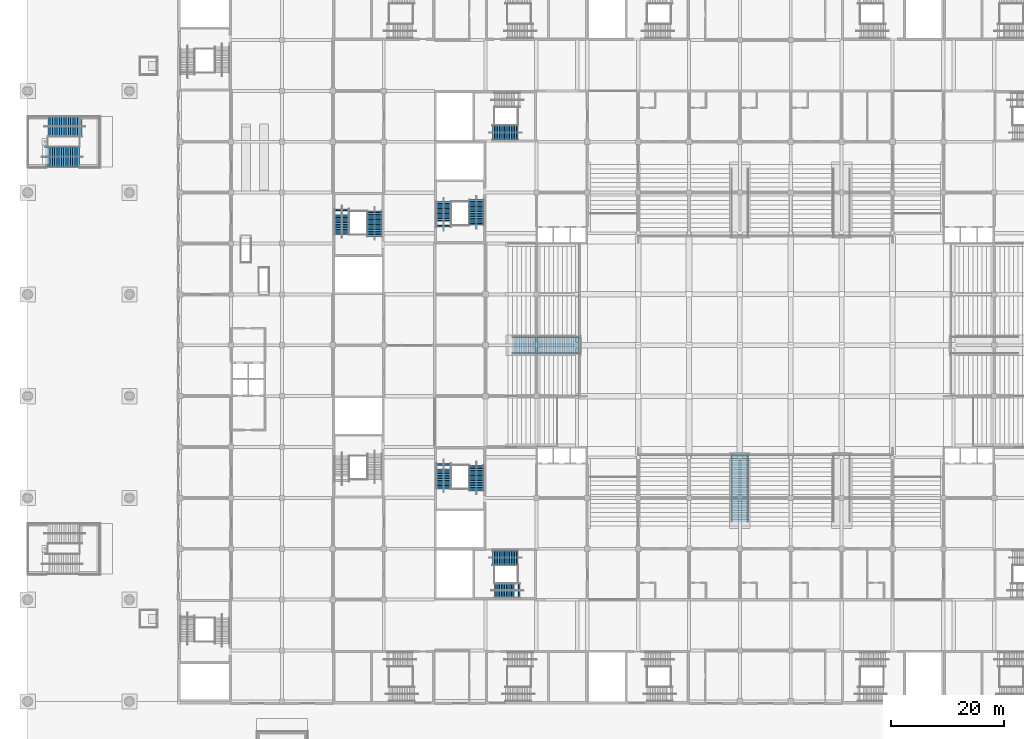
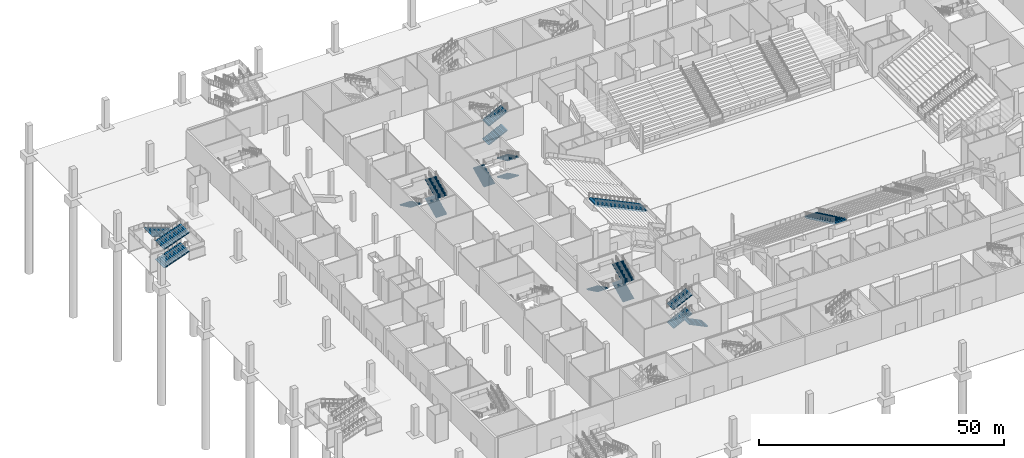
# One storey, part 43 of 92: 19 stair flights, 8 elements without a shape of their own.
"""IFC4 building model written with IfcOpenShell, lengths in metres."""

import ifcopenshell
import ifcopenshell.guid

model = None  # the IFC model being written
_history = None  # IfcOwnerHistory: only IFC2X3 demands one
_inside = {}  # id of a spatial element -> (the spatial element, [elements in it])
_under = {}  # id of a project, library or spatial element -> (it, [spatial elements below it])
_declared = {}  # id of a project -> (the project, [libraries it declares])
_typed = {}  # id of a type object -> (the type object, [elements of that type])
_made_of = {}  # id of a material, layer set ... -> (it, [elements and type objects made of it])


def new_model(schema):
    """Start an empty IFC model of exactly this schema.

    Asked for "IFC4X3", IfcOpenShell would pick the latest addendum, in which some entities
    have other attributes; the version numbers below select the first issue.
    IFC2X3 requires an IfcOwnerHistory on every rooted entity: one is made here for all.
    """
    global model, _history
    if schema == "IFC4X3":
        model = ifcopenshell.file(schema_version=(4, 3, 0, 0))
    else:
        model = ifcopenshell.file(schema=schema)
    _inside.clear()
    _under.clear()
    _declared.clear()
    _typed.clear()
    _made_of.clear()
    _history = None
    if model.schema == "IFC2X3":
        org = make("IfcOrganization", Name="unknown")
        user = make(
            "IfcPersonAndOrganization",
            ThePerson=make("IfcPerson", FamilyName="unknown"),
            TheOrganization=org,
        )
        app = make(
            "IfcApplication",
            ApplicationDeveloper=org,
            Version="unknown",
            ApplicationFullName="unknown",
            ApplicationIdentifier="unknown",
        )
        _history = make(
            "IfcOwnerHistory",
            OwningUser=user,
            OwningApplication=app,
            ChangeAction="ADDED",
            CreationDate=0,
        )
    return model


def make(cls, **values):
    """One entity of the class cls with the attributes given. An attribute that is None is left unset."""
    return model.create_entity(
        cls, **{name: value for name, value in values.items() if value is not None}
    )


def rooted(cls, **values):
    """An entity with a GlobalId (a new one), such as an element, a storey or a relation."""
    return make(cls, GlobalId=ifcopenshell.guid.new(), OwnerHistory=_history, **values)


def si_unit(unit_type, name, prefix=None):
    """IfcSIUnit, for example si_unit("LENGTHUNIT", "METRE", prefix="MILLI")."""
    return make("IfcSIUnit", UnitType=unit_type, Prefix=prefix, Name=name)


def assignment(units):
    """IfcUnitAssignment: the units of a project."""
    return None if units is None else make("IfcUnitAssignment", Units=units)


def point(xyz):
    """IfcCartesianPoint."""
    return None if xyz is None else make("IfcCartesianPoint", Coordinates=xyz)


def direction(xyz):
    """IfcDirection."""
    return None if xyz is None else make("IfcDirection", DirectionRatios=xyz)


def frame(location, z_axis=None, x_axis=None):
    """IfcAxis2Placement3D, a coordinate frame: its origin and axes. An axis left out is left unset."""
    return make(
        "IfcAxis2Placement3D",
        Location=point(location),
        Axis=direction(z_axis),
        RefDirection=direction(x_axis),
    )


def origin():
    """The frame at (0, 0, 0) with its axes left unset."""
    return frame((0.0, 0.0, 0.0))


def place(relative_to, where):
    """IfcLocalPlacement: puts the frame where relative to a parent placement (None: the world)."""
    return make(
        "IfcLocalPlacement", PlacementRelTo=relative_to, RelativePlacement=where
    )


def context(
    kind, dimensions, precision=None, world=None, true_north=None, identifier=None
):
    """IfcGeometricRepresentationContext, for example the 3D "Model" context."""
    return make(
        "IfcGeometricRepresentationContext",
        ContextIdentifier=identifier,
        ContextType=kind,
        CoordinateSpaceDimension=dimensions,
        Precision=precision,
        WorldCoordinateSystem=world,
        TrueNorth=true_north,
    )


def subcontext(parent, identifier, kind, view, scale=None):
    """IfcGeometricRepresentationSubContext, for example "Body" below "Model"."""
    return make(
        "IfcGeometricRepresentationSubContext",
        ContextIdentifier=identifier,
        ContextType=kind,
        ParentContext=parent,
        TargetScale=scale,
        TargetView=view,
    )


def project(units=None, contexts=None):
    """IfcProject with its units and contexts."""
    return rooted(
        "IfcProject",
        Name="project",
        RepresentationContexts=contexts,
        UnitsInContext=assignment(units),
    )


def spatial(cls, under=None, at=None, **own):
    """A site, building, storey or space (cls), placed at a placement, below another one or the project."""
    s = rooted(cls, ObjectPlacement=at, **own)
    if under is not None:
        _under.setdefault(under.id(), (under, []))[1].append(s)
    return s


def polyline(points):
    """IfcPolyline through the points."""
    return make("IfcPolyline", Points=[point(p) for p in points])


def outline(outer, holes=None, kind="AREA"):
    """IfcArbitraryClosedProfileDef: a profile drawn as a closed curve; with holes, ...WithVoids."""
    if holes is None:
        return make("IfcArbitraryClosedProfileDef", ProfileType=kind, OuterCurve=outer)
    return make(
        "IfcArbitraryProfileDefWithVoids",
        ProfileType=kind,
        OuterCurve=outer,
        InnerCurves=holes,
    )


def extrude(swept, where, along, depth):
    """IfcExtrudedAreaSolid: the profile swept, set in the frame where, extruded along a direction by depth."""
    return make(
        "IfcExtrudedAreaSolid",
        SweptArea=swept,
        Position=where,
        ExtrudedDirection=direction(along),
        Depth=depth,
    )


def shape(context_of_items, identifier, shape_type, items):
    """IfcShapeRepresentation: the items that make up one representation, for example the "Body"."""
    return make(
        "IfcShapeRepresentation",
        ContextOfItems=context_of_items,
        RepresentationIdentifier=identifier,
        RepresentationType=shape_type,
        Items=items,
    )


def material(Name=None, Category=None):
    """IfcMaterial."""
    return make("IfcMaterial", Name=Name, Category=Category)


def made_of(thing, what):
    """Note that an element or type object is made of a material, layer set ...; save() writes the relation."""
    if what is not None:
        _made_of.setdefault(what.id(), (what, []))[1].append(thing)
    return thing


def type_object(cls, material=None, **own):
    """A type object (cls), such as IfcWallType, which elements share."""
    return made_of(rooted(cls, **own), material)


def element(
    cls,
    number,
    at=None,
    inside=None,
    cuts=None,
    type_object=None,
    material=None,
    context=None,
    identifier="Body",
    shape_type=None,
    held_by="IfcProductDefinitionShape",
    body=None,
    shapes=None,
    **own,
):
    """One element of the class cls, such as IfcWall. Its Tag is "e" and its number.

    at: its placement. inside: the storey or other place that contains it. cuts: it is an
    opening in that element (IfcRelVoidsElement). A single representation is given by context,
    identifier, shape_type and body (its items); several are given by shapes. held_by: the class
    of the entity that holds the representations. save() writes the other relations.
    """
    e = rooted(cls, Tag="e%d" % number, ObjectPlacement=at, **own)
    if body is not None:
        shapes = [shape(context, identifier, shape_type, body)]
    if shapes is not None:
        e.Representation = make(held_by, Representations=shapes)
    if inside is not None:
        _inside.setdefault(inside.id(), (inside, []))[1].append(e)
    if cuts is not None:
        rooted(
            "IfcRelVoidsElement", RelatingBuildingElement=cuts, RelatedOpeningElement=e
        )
    if type_object is not None:
        _typed.setdefault(type_object.id(), (type_object, []))[1].append(e)
    return made_of(e, material)


def aggregate(whole, parts):
    """IfcRelAggregates: a whole, such as a stair, and the parts it consists of."""
    return rooted("IfcRelAggregates", RelatingObject=whole, RelatedObjects=parts)


def save(model, path):
    """Write the relations noted so far, then the file.

    IfcRelAggregates (storeys below a building ...), IfcRelContainedInSpatialStructure (elements
    in a storey), IfcRelDefinesByType, IfcRelAssociatesMaterial and IfcRelDeclares: one each for
    every whole, place, type object, material and project.
    """
    for whole, parts in _under.values():
        aggregate(whole, parts)
    for where, things in _inside.values():
        rooted(
            "IfcRelContainedInSpatialStructure",
            RelatedElements=things,
            RelatingStructure=where,
        )
    for kind, things in _typed.values():
        rooted("IfcRelDefinesByType", RelatedObjects=things, RelatingType=kind)
    for what, things in _made_of.values():
        rooted("IfcRelAssociatesMaterial", RelatedObjects=things, RelatingMaterial=what)
    for by, libraries in _declared.values():
        rooted("IfcRelDeclares", RelatingContext=by, RelatedDefinitions=libraries)
    model.write(path)


model = new_model("IFC4")

# Units and contexts
model_context = context("Model", 3, precision=1e-05, world=origin(), true_north=direction((0.0, 1.0)))
body_context = subcontext(model_context, "Body", "Model", "MODEL_VIEW")
ifc_project = project(units=[si_unit("LENGTHUNIT", "METRE"), si_unit("AREAUNIT", "SQUARE_METRE"), si_unit("VOLUMEUNIT", "CUBIC_METRE"), si_unit("PLANEANGLEUNIT", "RADIAN"), si_unit("MASSUNIT", "GRAM", prefix="KILO")], contexts=[model_context])

# Site, building, storey
site_placement = place(None, origin())
site = spatial("IfcSite", under=ifc_project, at=site_placement, CompositionType="ELEMENT")
building_placement = place(site_placement, origin())
building = spatial("IfcBuilding", under=site, at=building_placement, Name="Silverbay Arena", CompositionType="ELEMENT")
storey_placement = place(building_placement, origin())
storey = spatial("IfcBuildingStorey", under=building, at=storey_placement, Name="L00", CompositionType="ELEMENT", Elevation=0.0)

# Stair, stair flights
ifc_material_1 = material(Name="Concrete Grade C45", Category="concrete")
stair_type_1 = type_object("IfcStairType", Name="Stair 2600 wide 48 risers 145.8 x 300", PredefinedType="HALF_TURN_STAIR", material=ifc_material_1)
stair_1_placement = place(storey_placement, origin())
stair_1 = element("IfcStair", 1, at=stair_1_placement, inside=storey, type_object=stair_type_1, Name="Stair ST-W2 L00 to L01", PredefinedType="HALF_TURN_STAIR")
ifc_material_2 = material(Name="Concrete Grade C45", Category="concrete")
stair_flight_type_1 = type_object("IfcStairFlightType", Name="Stair flight 2600 wide 16 risers 145.8 x 300", PredefinedType="STRAIGHT", material=ifc_material_2)
stair_flight_1_placement = place(storey_placement, frame((61.39990234375, 100.2568359375, 0.0), z_axis=(0.0, 0.0, 1.0), x_axis=(0.0, 1.0, 0.0)))
stair_flight_1 = element("IfcStairFlight", 2, at=stair_flight_1_placement, type_object=stair_flight_type_1, Name="Stair ST-W2 L00 to L01 flight 1", NumberOfRisers=16, NumberOfTreads=15, PredefinedType="STRAIGHT", RiserHeight=0.145833333, TreadLength=0.3, context=body_context, shape_type="SweptSolid", body=[
    extrude(outline(polyline([(0.0, 0.0), (0.0, 0.145751953125), (0.300048828125, 0.145751953125), (0.300048828125, 0.291748046875), (0.60009765625, 0.291748046875), (0.60009765625, 0.4375), (0.89990234375, 0.4375), (0.89990234375, 0.583251953125), (1.199951171875, 0.583251953125), (1.199951171875, 0.729248046875), (1.5, 0.729248046875), (1.5, 0.875), (1.800048828125, 0.875), (1.800048828125, 1.020751953125), (2.10009765625, 1.020751953125), (2.10009765625, 1.166748046875), (2.39990234375, 1.166748046875), (2.39990234375, 1.3125), (2.699951171875, 1.3125), (2.699951171875, 1.458251953125), (3.0, 1.458251953125), (3.0, 1.604248046875), (3.300048828125, 1.604248046875), (3.300048828125, 1.75), (3.60009765625, 1.75), (3.60009765625, 1.895751953125), (3.89990234375, 1.895751953125), (3.89990234375, 2.041748046875), (4.199951171875, 2.041748046875), (4.199951171875, 2.1875), (4.5, 2.1875), (4.5, 2.020751953125), (0.3427734375, 0.0), (0.0, 0.0)])), frame((0.0, 1.300048828125, 0.0), z_axis=(0.0, -1.0, 0.0), x_axis=(1.0, 0.0, 0.0)), (0.0, 0.0, 1.0), 2.60009765625),
])
stair_flight_2_placement = place(storey_placement, frame((55.60009765625, 105.10009765625, 2.333251953125), z_axis=(0.0, 0.0, 1.0), x_axis=(0.0, -1.0, 0.0)))
stair_flight_2 = element("IfcStairFlight", 3, at=stair_flight_2_placement, type_object=stair_flight_type_1, Name="Stair ST-W2 L00 to L01 flight 2", NumberOfRisers=16, NumberOfTreads=15, PredefinedType="STRAIGHT", RiserHeight=0.145833333, TreadLength=0.3, context=body_context, shape_type="SweptSolid", body=[
    extrude(outline(polyline([(0.0, 0.0), (0.0, 0.145751953125), (0.300048828125, 0.145751953125), (0.300048828125, 0.291748046875), (0.60009765625, 0.291748046875), (0.60009765625, 0.4375), (0.89990234375, 0.4375), (0.89990234375, 0.583251953125), (1.199951171875, 0.583251953125), (1.199951171875, 0.729248046875), (1.5, 0.729248046875), (1.5, 0.875), (1.800048828125, 0.875), (1.800048828125, 1.020751953125), (2.10009765625, 1.020751953125), (2.10009765625, 1.166748046875), (2.39990234375, 1.166748046875), (2.39990234375, 1.3125), (2.699951171875, 1.3125), (2.699951171875, 1.458251953125), (3.0, 1.458251953125), (3.0, 1.604248046875), (3.300048828125, 1.604248046875), (3.300048828125, 1.75), (3.60009765625, 1.75), (3.60009765625, 1.895751953125), (3.89990234375, 1.895751953125), (3.89990234375, 2.041748046875), (4.199951171875, 2.041748046875), (4.199951171875, 2.1875), (4.5, 2.1875), (4.5, 2.020751953125), (0.3427734375, 0.0), (0.0, 0.0)])), frame((0.0, 1.300048828125, 0.0), z_axis=(0.0, -1.0, 0.0), x_axis=(1.0, 0.0, 0.0)), (0.0, 0.0, 1.0), 2.60009765625),
])
stair_flight_3_placement = place(storey_placement, frame((61.39990234375, 100.2568359375, 4.666748046875), z_axis=(0.0, 0.0, 1.0), x_axis=(0.0, 1.0, 0.0)))
stair_flight_3 = element("IfcStairFlight", 4, at=stair_flight_3_placement, type_object=stair_flight_type_1, Name="Stair ST-W2 L00 to L01 flight 3", NumberOfRisers=16, NumberOfTreads=15, PredefinedType="STRAIGHT", RiserHeight=0.145833333, TreadLength=0.3, context=body_context, shape_type="SweptSolid", body=[
    extrude(outline(polyline([(0.0, 0.0), (0.0, 0.145751953125), (0.300048828125, 0.145751953125), (0.300048828125, 0.291748046875), (0.60009765625, 0.291748046875), (0.60009765625, 0.4375), (0.89990234375, 0.4375), (0.89990234375, 0.583251953125), (1.199951171875, 0.583251953125), (1.199951171875, 0.729248046875), (1.5, 0.729248046875), (1.5, 0.875), (1.800048828125, 0.875), (1.800048828125, 1.020751953125), (2.10009765625, 1.020751953125), (2.10009765625, 1.166748046875), (2.39990234375, 1.166748046875), (2.39990234375, 1.3125), (2.699951171875, 1.3125), (2.699951171875, 1.458251953125), (3.0, 1.458251953125), (3.0, 1.604248046875), (3.300048828125, 1.604248046875), (3.300048828125, 1.75), (3.60009765625, 1.75), (3.60009765625, 1.895751953125), (3.89990234375, 1.895751953125), (3.89990234375, 2.041748046875), (4.199951171875, 2.041748046875), (4.199951171875, 2.1875), (4.5, 2.1875), (4.5, 2.020751953125), (0.3427734375, 0.0), (0.0, 0.0)])), frame((0.0, 1.300048828125, 0.0), z_axis=(0.0, -1.0, 0.0), x_axis=(1.0, 0.0, 0.0)), (0.0, 0.0, 1.0), 2.60009765625),
])
aggregate(stair_1, [stair_flight_1, stair_flight_2, stair_flight_3])

stair_2_placement = place(storey_placement, origin())
stair_2 = element("IfcStair", 5, at=stair_2_placement, inside=storey, type_object=stair_type_1, Name="Stair ST-SW1 L00 to L01", PredefinedType="HALF_TURN_STAIR")
stair_flight_4_placement = place(storey_placement, frame((82.2568359375, 43.39990234375, 0.0), z_axis=(0.0, 0.0, 1.0), x_axis=(1.0, 0.0, 0.0)))
stair_flight_4 = element("IfcStairFlight", 6, at=stair_flight_4_placement, type_object=stair_flight_type_1, Name="Stair ST-SW1 L00 to L01 flight 1", NumberOfRisers=16, NumberOfTreads=15, PredefinedType="STRAIGHT", RiserHeight=0.145833333, TreadLength=0.3, context=body_context, shape_type="SweptSolid", body=[
    extrude(outline(polyline([(0.0, 0.0), (0.0, 0.145751953125), (0.300048828125, 0.145751953125), (0.300048828125, 0.291748046875), (0.60009765625, 0.291748046875), (0.60009765625, 0.4375), (0.89990234375, 0.4375), (0.89990234375, 0.583251953125), (1.199951171875, 0.583251953125), (1.199951171875, 0.729248046875), (1.5, 0.729248046875), (1.5, 0.875), (1.800048828125, 0.875), (1.800048828125, 1.020751953125), (2.10009765625, 1.020751953125), (2.10009765625, 1.166748046875), (2.39990234375, 1.166748046875), (2.39990234375, 1.3125), (2.699951171875, 1.3125), (2.699951171875, 1.458251953125), (3.0, 1.458251953125), (3.0, 1.604248046875), (3.300048828125, 1.604248046875), (3.300048828125, 1.75), (3.60009765625, 1.75), (3.60009765625, 1.895751953125), (3.89990234375, 1.895751953125), (3.89990234375, 2.041748046875), (4.199951171875, 2.041748046875), (4.199951171875, 2.1875), (4.5, 2.1875), (4.5, 2.020751953125), (0.3427734375, 0.0), (0.0, 0.0)])), frame((0.0, 1.300048828125, 0.0), z_axis=(0.0, -1.0, 0.0), x_axis=(1.0, 0.0, 0.0)), (0.0, 0.0, 1.0), 2.60009765625),
])
stair_flight_5_placement = place(storey_placement, frame((87.10009765625, 37.60009765625, 2.333251953125), z_axis=(0.0, 0.0, 1.0), x_axis=(-1.0, 0.0, 0.0)))
stair_flight_5 = element("IfcStairFlight", 7, at=stair_flight_5_placement, type_object=stair_flight_type_1, Name="Stair ST-SW1 L00 to L01 flight 2", NumberOfRisers=16, NumberOfTreads=15, PredefinedType="STRAIGHT", RiserHeight=0.145833333, TreadLength=0.3, context=body_context, shape_type="SweptSolid", body=[
    extrude(outline(polyline([(0.0, 0.0), (0.0, 0.145751953125), (0.300048828125, 0.145751953125), (0.300048828125, 0.291748046875), (0.60009765625, 0.291748046875), (0.60009765625, 0.4375), (0.89990234375, 0.4375), (0.89990234375, 0.583251953125), (1.199951171875, 0.583251953125), (1.199951171875, 0.729248046875), (1.5, 0.729248046875), (1.5, 0.875), (1.800048828125, 0.875), (1.800048828125, 1.020751953125), (2.10009765625, 1.020751953125), (2.10009765625, 1.166748046875), (2.39990234375, 1.166748046875), (2.39990234375, 1.3125), (2.699951171875, 1.3125), (2.699951171875, 1.458251953125), (3.0, 1.458251953125), (3.0, 1.604248046875), (3.300048828125, 1.604248046875), (3.300048828125, 1.75), (3.60009765625, 1.75), (3.60009765625, 1.895751953125), (3.89990234375, 1.895751953125), (3.89990234375, 2.041748046875), (4.199951171875, 2.041748046875), (4.199951171875, 2.1875), (4.5, 2.1875), (4.5, 2.020751953125), (0.3427734375, 0.0), (0.0, 0.0)])), frame((0.0, 1.300048828125, 0.0), z_axis=(0.0, -1.0, 0.0), x_axis=(1.0, 0.0, 0.0)), (0.0, 0.0, 1.0), 2.60009765625),
])
stair_flight_6_placement = place(storey_placement, frame((82.2568359375, 43.39990234375, 4.666748046875), z_axis=(0.0, 0.0, 1.0), x_axis=(1.0, 0.0, 0.0)))
stair_flight_6 = element("IfcStairFlight", 8, at=stair_flight_6_placement, type_object=stair_flight_type_1, Name="Stair ST-SW1 L00 to L01 flight 3", NumberOfRisers=16, NumberOfTreads=15, PredefinedType="STRAIGHT", RiserHeight=0.145833333, TreadLength=0.3, context=body_context, shape_type="SweptSolid", body=[
    extrude(outline(polyline([(0.0, 0.0), (0.0, 0.145751953125), (0.300048828125, 0.145751953125), (0.300048828125, 0.291748046875), (0.60009765625, 0.291748046875), (0.60009765625, 0.4375), (0.89990234375, 0.4375), (0.89990234375, 0.583251953125), (1.199951171875, 0.583251953125), (1.199951171875, 0.729248046875), (1.5, 0.729248046875), (1.5, 0.875), (1.800048828125, 0.875), (1.800048828125, 1.020751953125), (2.10009765625, 1.020751953125), (2.10009765625, 1.166748046875), (2.39990234375, 1.166748046875), (2.39990234375, 1.3125), (2.699951171875, 1.3125), (2.699951171875, 1.458251953125), (3.0, 1.458251953125), (3.0, 1.604248046875), (3.300048828125, 1.604248046875), (3.300048828125, 1.75), (3.60009765625, 1.75), (3.60009765625, 1.895751953125), (3.89990234375, 1.895751953125), (3.89990234375, 2.041748046875), (4.199951171875, 2.041748046875), (4.199951171875, 2.1875), (4.5, 2.1875), (4.5, 2.020751953125), (0.3427734375, 0.0), (0.0, 0.0)])), frame((0.0, 1.300048828125, 0.0), z_axis=(0.0, -1.0, 0.0), x_axis=(1.0, 0.0, 0.0)), (0.0, 0.0, 1.0), 2.60009765625),
])
aggregate(stair_2, [stair_flight_4, stair_flight_5, stair_flight_6])

stair_3_placement = place(storey_placement, origin())
stair_3 = element("IfcStair", 9, at=stair_3_placement, inside=storey, type_object=stair_type_1, Name="Stair ST-SW2 L00 to L01", PredefinedType="HALF_TURN_STAIR")
stair_flight_7_placement = place(storey_placement, frame((79.39990234375, 55.2568359375, 0.0), z_axis=(0.0, 0.0, 1.0), x_axis=(0.0, 1.0, 0.0)))
stair_flight_7 = element("IfcStairFlight", 10, at=stair_flight_7_placement, type_object=stair_flight_type_1, Name="Stair ST-SW2 L00 to L01 flight 1", NumberOfRisers=16, NumberOfTreads=15, PredefinedType="STRAIGHT", RiserHeight=0.145833333, TreadLength=0.3, context=body_context, shape_type="SweptSolid", body=[
    extrude(outline(polyline([(0.0, 0.0), (0.0, 0.145751953125), (0.300048828125, 0.145751953125), (0.300048828125, 0.291748046875), (0.60009765625, 0.291748046875), (0.60009765625, 0.4375), (0.89990234375, 0.4375), (0.89990234375, 0.583251953125), (1.199951171875, 0.583251953125), (1.199951171875, 0.729248046875), (1.5, 0.729248046875), (1.5, 0.875), (1.800048828125, 0.875), (1.800048828125, 1.020751953125), (2.10009765625, 1.020751953125), (2.10009765625, 1.166748046875), (2.39990234375, 1.166748046875), (2.39990234375, 1.3125), (2.699951171875, 1.3125), (2.699951171875, 1.458251953125), (3.0, 1.458251953125), (3.0, 1.604248046875), (3.300048828125, 1.604248046875), (3.300048828125, 1.75), (3.60009765625, 1.75), (3.60009765625, 1.895751953125), (3.89990234375, 1.895751953125), (3.89990234375, 2.041748046875), (4.199951171875, 2.041748046875), (4.199951171875, 2.1875), (4.5, 2.1875), (4.5, 2.020751953125), (0.3427734375, 0.0), (0.0, 0.0)])), frame((0.0, 1.300048828125, 0.0), z_axis=(0.0, -1.0, 0.0), x_axis=(1.0, 0.0, 0.0)), (0.0, 0.0, 1.0), 2.60009765625),
])
stair_flight_8_placement = place(storey_placement, frame((73.60009765625, 60.10009765625, 2.333251953125), z_axis=(0.0, 0.0, 1.0), x_axis=(0.0, -1.0, 0.0)))
stair_flight_8 = element("IfcStairFlight", 11, at=stair_flight_8_placement, type_object=stair_flight_type_1, Name="Stair ST-SW2 L00 to L01 flight 2", NumberOfRisers=16, NumberOfTreads=15, PredefinedType="STRAIGHT", RiserHeight=0.145833333, TreadLength=0.3, context=body_context, shape_type="SweptSolid", body=[
    extrude(outline(polyline([(0.0, 0.0), (0.0, 0.145751953125), (0.300048828125, 0.145751953125), (0.300048828125, 0.291748046875), (0.60009765625, 0.291748046875), (0.60009765625, 0.4375), (0.89990234375, 0.4375), (0.89990234375, 0.583251953125), (1.199951171875, 0.583251953125), (1.199951171875, 0.729248046875), (1.5, 0.729248046875), (1.5, 0.875), (1.800048828125, 0.875), (1.800048828125, 1.020751953125), (2.10009765625, 1.020751953125), (2.10009765625, 1.166748046875), (2.39990234375, 1.166748046875), (2.39990234375, 1.3125), (2.699951171875, 1.3125), (2.699951171875, 1.458251953125), (3.0, 1.458251953125), (3.0, 1.604248046875), (3.300048828125, 1.604248046875), (3.300048828125, 1.75), (3.60009765625, 1.75), (3.60009765625, 1.895751953125), (3.89990234375, 1.895751953125), (3.89990234375, 2.041748046875), (4.199951171875, 2.041748046875), (4.199951171875, 2.1875), (4.5, 2.1875), (4.5, 2.020751953125), (0.3427734375, 0.0), (0.0, 0.0)])), frame((0.0, 1.300048828125, 0.0), z_axis=(0.0, -1.0, 0.0), x_axis=(1.0, 0.0, 0.0)), (0.0, 0.0, 1.0), 2.60009765625),
])
stair_flight_9_placement = place(storey_placement, frame((79.39990234375, 55.2568359375, 4.666748046875), z_axis=(0.0, 0.0, 1.0), x_axis=(0.0, 1.0, 0.0)))
stair_flight_9 = element("IfcStairFlight", 12, at=stair_flight_9_placement, type_object=stair_flight_type_1, Name="Stair ST-SW2 L00 to L01 flight 3", NumberOfRisers=16, NumberOfTreads=15, PredefinedType="STRAIGHT", RiserHeight=0.145833333, TreadLength=0.3, context=body_context, shape_type="SweptSolid", body=[
    extrude(outline(polyline([(0.0, 0.0), (0.0, 0.145751953125), (0.300048828125, 0.145751953125), (0.300048828125, 0.291748046875), (0.60009765625, 0.291748046875), (0.60009765625, 0.4375), (0.89990234375, 0.4375), (0.89990234375, 0.583251953125), (1.199951171875, 0.583251953125), (1.199951171875, 0.729248046875), (1.5, 0.729248046875), (1.5, 0.875), (1.800048828125, 0.875), (1.800048828125, 1.020751953125), (2.10009765625, 1.020751953125), (2.10009765625, 1.166748046875), (2.39990234375, 1.166748046875), (2.39990234375, 1.3125), (2.699951171875, 1.3125), (2.699951171875, 1.458251953125), (3.0, 1.458251953125), (3.0, 1.604248046875), (3.300048828125, 1.604248046875), (3.300048828125, 1.75), (3.60009765625, 1.75), (3.60009765625, 1.895751953125), (3.89990234375, 1.895751953125), (3.89990234375, 2.041748046875), (4.199951171875, 2.041748046875), (4.199951171875, 2.1875), (4.5, 2.1875), (4.5, 2.020751953125), (0.3427734375, 0.0), (0.0, 0.0)])), frame((0.0, 1.300048828125, 0.0), z_axis=(0.0, -1.0, 0.0), x_axis=(1.0, 0.0, 0.0)), (0.0, 0.0, 1.0), 2.60009765625),
])
aggregate(stair_3, [stair_flight_7, stair_flight_8, stair_flight_9])

stair_4_placement = place(storey_placement, origin())
stair_4 = element("IfcStair", 13, at=stair_4_placement, inside=storey, type_object=stair_type_1, Name="Stair ST-NW1 L00 to L01", PredefinedType="HALF_TURN_STAIR")
stair_flight_10_placement = place(storey_placement, frame((82.2568359375, 118.60009765625, 0.0), z_axis=(0.0, 0.0, 1.0), x_axis=(1.0, 0.0, 0.0)))
stair_flight_10 = element("IfcStairFlight", 14, at=stair_flight_10_placement, type_object=stair_flight_type_1, Name="Stair ST-NW1 L00 to L01 flight 1", NumberOfRisers=16, NumberOfTreads=15, PredefinedType="STRAIGHT", RiserHeight=0.145833333, TreadLength=0.3, context=body_context, shape_type="SweptSolid", body=[
    extrude(outline(polyline([(0.0, 0.0), (0.0, 0.145751953125), (0.300048828125, 0.145751953125), (0.300048828125, 0.291748046875), (0.60009765625, 0.291748046875), (0.60009765625, 0.4375), (0.89990234375, 0.4375), (0.89990234375, 0.583251953125), (1.199951171875, 0.583251953125), (1.199951171875, 0.729248046875), (1.5, 0.729248046875), (1.5, 0.875), (1.800048828125, 0.875), (1.800048828125, 1.020751953125), (2.10009765625, 1.020751953125), (2.10009765625, 1.166748046875), (2.39990234375, 1.166748046875), (2.39990234375, 1.3125), (2.699951171875, 1.3125), (2.699951171875, 1.458251953125), (3.0, 1.458251953125), (3.0, 1.604248046875), (3.300048828125, 1.604248046875), (3.300048828125, 1.75), (3.60009765625, 1.75), (3.60009765625, 1.895751953125), (3.89990234375, 1.895751953125), (3.89990234375, 2.041748046875), (4.199951171875, 2.041748046875), (4.199951171875, 2.1875), (4.5, 2.1875), (4.5, 2.020751953125), (0.3427734375, 0.0), (0.0, 0.0)])), frame((0.0, 1.300048828125, 0.0), z_axis=(0.0, -1.0, 0.0), x_axis=(1.0, 0.0, 0.0)), (0.0, 0.0, 1.0), 2.60009765625),
])
stair_flight_11_placement = place(storey_placement, frame((82.2568359375, 118.60009765625, 4.666748046875), z_axis=(0.0, 0.0, 1.0), x_axis=(1.0, 0.0, 0.0)))
stair_flight_11 = element("IfcStairFlight", 15, at=stair_flight_11_placement, type_object=stair_flight_type_1, Name="Stair ST-NW1 L00 to L01 flight 3", NumberOfRisers=16, NumberOfTreads=15, PredefinedType="STRAIGHT", RiserHeight=0.145833333, TreadLength=0.3, context=body_context, shape_type="SweptSolid", body=[
    extrude(outline(polyline([(0.0, 0.0), (0.0, 0.145751953125), (0.300048828125, 0.145751953125), (0.300048828125, 0.291748046875), (0.60009765625, 0.291748046875), (0.60009765625, 0.4375), (0.89990234375, 0.4375), (0.89990234375, 0.583251953125), (1.199951171875, 0.583251953125), (1.199951171875, 0.729248046875), (1.5, 0.729248046875), (1.5, 0.875), (1.800048828125, 0.875), (1.800048828125, 1.020751953125), (2.10009765625, 1.020751953125), (2.10009765625, 1.166748046875), (2.39990234375, 1.166748046875), (2.39990234375, 1.3125), (2.699951171875, 1.3125), (2.699951171875, 1.458251953125), (3.0, 1.458251953125), (3.0, 1.604248046875), (3.300048828125, 1.604248046875), (3.300048828125, 1.75), (3.60009765625, 1.75), (3.60009765625, 1.895751953125), (3.89990234375, 1.895751953125), (3.89990234375, 2.041748046875), (4.199951171875, 2.041748046875), (4.199951171875, 2.1875), (4.5, 2.1875), (4.5, 2.020751953125), (0.3427734375, 0.0), (0.0, 0.0)])), frame((0.0, 1.300048828125, 0.0), z_axis=(0.0, -1.0, 0.0), x_axis=(1.0, 0.0, 0.0)), (0.0, 0.0, 1.0), 2.60009765625),
])
aggregate(stair_4, [stair_flight_10, stair_flight_11])

stair_5_placement = place(storey_placement, origin())
stair_5 = element("IfcStair", 16, at=stair_5_placement, inside=storey, type_object=stair_type_1, Name="Stair ST-NW2 L00 to L01", PredefinedType="HALF_TURN_STAIR")
stair_flight_12_placement = place(storey_placement, frame((79.39990234375, 106.7431640625, 0.0), z_axis=(0.0, 0.0, 1.0), x_axis=(0.0, -1.0, 0.0)))
stair_flight_12 = element("IfcStairFlight", 17, at=stair_flight_12_placement, type_object=stair_flight_type_1, Name="Stair ST-NW2 L00 to L01 flight 1", NumberOfRisers=16, NumberOfTreads=15, PredefinedType="STRAIGHT", RiserHeight=0.145833333, TreadLength=0.3, context=body_context, shape_type="SweptSolid", body=[
    extrude(outline(polyline([(0.0, 0.0), (0.0, 0.145751953125), (0.300048828125, 0.145751953125), (0.300048828125, 0.291748046875), (0.60009765625, 0.291748046875), (0.60009765625, 0.4375), (0.89990234375, 0.4375), (0.89990234375, 0.583251953125), (1.199951171875, 0.583251953125), (1.199951171875, 0.729248046875), (1.5, 0.729248046875), (1.5, 0.875), (1.800048828125, 0.875), (1.800048828125, 1.020751953125), (2.10009765625, 1.020751953125), (2.10009765625, 1.166748046875), (2.39990234375, 1.166748046875), (2.39990234375, 1.3125), (2.699951171875, 1.3125), (2.699951171875, 1.458251953125), (3.0, 1.458251953125), (3.0, 1.604248046875), (3.300048828125, 1.604248046875), (3.300048828125, 1.75), (3.60009765625, 1.75), (3.60009765625, 1.895751953125), (3.89990234375, 1.895751953125), (3.89990234375, 2.041748046875), (4.199951171875, 2.041748046875), (4.199951171875, 2.1875), (4.5, 2.1875), (4.5, 2.020751953125), (0.3427734375, 0.0), (0.0, 0.0)])), frame((0.0, 1.300048828125, 0.0), z_axis=(0.0, -1.0, 0.0), x_axis=(1.0, 0.0, 0.0)), (0.0, 0.0, 1.0), 2.60009765625),
])
stair_flight_13_placement = place(storey_placement, frame((73.60009765625, 101.89990234375, 2.333251953125), z_axis=(0.0, 0.0, 1.0), x_axis=(0.0, 1.0, 0.0)))
stair_flight_13 = element("IfcStairFlight", 18, at=stair_flight_13_placement, type_object=stair_flight_type_1, Name="Stair ST-NW2 L00 to L01 flight 2", NumberOfRisers=16, NumberOfTreads=15, PredefinedType="STRAIGHT", RiserHeight=0.145833333, TreadLength=0.3, context=body_context, shape_type="SweptSolid", body=[
    extrude(outline(polyline([(0.0, 0.0), (0.0, 0.145751953125), (0.300048828125, 0.145751953125), (0.300048828125, 0.291748046875), (0.60009765625, 0.291748046875), (0.60009765625, 0.4375), (0.89990234375, 0.4375), (0.89990234375, 0.583251953125), (1.199951171875, 0.583251953125), (1.199951171875, 0.729248046875), (1.5, 0.729248046875), (1.5, 0.875), (1.800048828125, 0.875), (1.800048828125, 1.020751953125), (2.10009765625, 1.020751953125), (2.10009765625, 1.166748046875), (2.39990234375, 1.166748046875), (2.39990234375, 1.3125), (2.699951171875, 1.3125), (2.699951171875, 1.458251953125), (3.0, 1.458251953125), (3.0, 1.604248046875), (3.300048828125, 1.604248046875), (3.300048828125, 1.75), (3.60009765625, 1.75), (3.60009765625, 1.895751953125), (3.89990234375, 1.895751953125), (3.89990234375, 2.041748046875), (4.199951171875, 2.041748046875), (4.199951171875, 2.1875), (4.5, 2.1875), (4.5, 2.020751953125), (0.3427734375, 0.0), (0.0, 0.0)])), frame((0.0, 1.300048828125, 0.0), z_axis=(0.0, -1.0, 0.0), x_axis=(1.0, 0.0, 0.0)), (0.0, 0.0, 1.0), 2.60009765625),
])
stair_flight_14_placement = place(storey_placement, frame((79.39990234375, 106.7431640625, 4.666748046875), z_axis=(0.0, 0.0, 1.0), x_axis=(0.0, -1.0, 0.0)))
stair_flight_14 = element("IfcStairFlight", 19, at=stair_flight_14_placement, type_object=stair_flight_type_1, Name="Stair ST-NW2 L00 to L01 flight 3", NumberOfRisers=16, NumberOfTreads=15, PredefinedType="STRAIGHT", RiserHeight=0.145833333, TreadLength=0.3, context=body_context, shape_type="SweptSolid", body=[
    extrude(outline(polyline([(0.0, 0.0), (0.0, 0.145751953125), (0.300048828125, 0.145751953125), (0.300048828125, 0.291748046875), (0.60009765625, 0.291748046875), (0.60009765625, 0.4375), (0.89990234375, 0.4375), (0.89990234375, 0.583251953125), (1.199951171875, 0.583251953125), (1.199951171875, 0.729248046875), (1.5, 0.729248046875), (1.5, 0.875), (1.800048828125, 0.875), (1.800048828125, 1.020751953125), (2.10009765625, 1.020751953125), (2.10009765625, 1.166748046875), (2.39990234375, 1.166748046875), (2.39990234375, 1.3125), (2.699951171875, 1.3125), (2.699951171875, 1.458251953125), (3.0, 1.458251953125), (3.0, 1.604248046875), (3.300048828125, 1.604248046875), (3.300048828125, 1.75), (3.60009765625, 1.75), (3.60009765625, 1.895751953125), (3.89990234375, 1.895751953125), (3.89990234375, 2.041748046875), (4.199951171875, 2.041748046875), (4.199951171875, 2.1875), (4.5, 2.1875), (4.5, 2.020751953125), (0.3427734375, 0.0), (0.0, 0.0)])), frame((0.0, 1.300048828125, 0.0), z_axis=(0.0, -1.0, 0.0), x_axis=(1.0, 0.0, 0.0)), (0.0, 0.0, 1.0), 2.60009765625),
])
aggregate(stair_5, [stair_flight_12, stair_flight_13, stair_flight_14])

ifc_material_3 = material(Name="Concrete Grade C45", Category="concrete")
stair_type_2 = type_object("IfcStairType", Name="Stair 3600 wide 48 risers 145.8 x 400", PredefinedType="HALF_TURN_STAIR", material=ifc_material_3)
stair_6_placement = place(storey_placement, origin())
stair_6 = element("IfcStair", 20, at=stair_6_placement, inside=storey, type_object=stair_type_2, Name="Deck stair DS2", PredefinedType="HALF_TURN_STAIR")
ifc_material_4 = material(Name="Concrete Grade C45", Category="concrete")
stair_flight_type_2 = type_object("IfcStairFlightType", Name="Stair flight 3600 wide 16 risers 145.8 x 400", PredefinedType="STRAIGHT", material=ifc_material_4)
stair_flight_15_placement = place(storey_placement, frame((3.162109375, 114.300048828125, 0.0), z_axis=(0.0, 0.0, 1.0), x_axis=(1.0, 0.0, 0.0)))
stair_flight_15 = element("IfcStairFlight", 21, at=stair_flight_15_placement, type_object=stair_flight_type_2, Name="Deck stair DS2 flight 1", NumberOfRisers=16, NumberOfTreads=15, PredefinedType="STRAIGHT", RiserHeight=0.145833333, TreadLength=0.4, context=body_context, shape_type="SweptSolid", body=[
    extrude(outline(polyline([(0.0, 0.0), (0.0, 0.145751953125), (0.39990234375, 0.145751953125), (0.39990234375, 0.291748046875), (0.800048828125, 0.291748046875), (0.800048828125, 0.4375), (1.199951171875, 0.4375), (1.199951171875, 0.583251953125), (1.60009765625, 0.583251953125), (1.60009765625, 0.729248046875), (2.0, 0.729248046875), (2.0, 0.875), (2.39990234375, 0.875), (2.39990234375, 1.020751953125), (2.800048828125, 1.020751953125), (2.800048828125, 1.166748046875), (3.199951171875, 1.166748046875), (3.199951171875, 1.3125), (3.60009765625, 1.3125), (3.60009765625, 1.458251953125), (4.0, 1.458251953125), (4.0, 1.604248046875), (4.39990234375, 1.604248046875), (4.39990234375, 1.75), (4.800048828125, 1.75), (4.800048828125, 1.895751953125), (5.199951171875, 1.895751953125), (5.199951171875, 2.041748046875), (5.60009765625, 2.041748046875), (5.60009765625, 2.1875), (6.0, 2.1875), (6.0, 2.02783203125), (0.437744140625, 0.0), (0.0, 0.0)])), frame((0.0, 1.800048828125, 0.0), z_axis=(0.0, -1.0, 0.0), x_axis=(1.0, 0.0, 0.0)), (0.0, 0.0, 1.0), 3.60009765625),
])
stair_flight_16_placement = place(storey_placement, frame((9.60009765625, 119.699951171875, 2.333251953125), z_axis=(0.0, 0.0, 1.0), x_axis=(-1.0, 0.0, 0.0)))
stair_flight_16 = element("IfcStairFlight", 22, at=stair_flight_16_placement, type_object=stair_flight_type_2, Name="Deck stair DS2 flight 2", NumberOfRisers=16, NumberOfTreads=15, PredefinedType="STRAIGHT", RiserHeight=0.145833333, TreadLength=0.4, context=body_context, shape_type="SweptSolid", body=[
    extrude(outline(polyline([(0.0, 0.0), (0.0, 0.145751953125), (0.39990234375, 0.145751953125), (0.39990234375, 0.291748046875), (0.800048828125, 0.291748046875), (0.800048828125, 0.4375), (1.199951171875, 0.4375), (1.199951171875, 0.583251953125), (1.60009765625, 0.583251953125), (1.60009765625, 0.729248046875), (2.0, 0.729248046875), (2.0, 0.875), (2.39990234375, 0.875), (2.39990234375, 1.020751953125), (2.800048828125, 1.020751953125), (2.800048828125, 1.166748046875), (3.199951171875, 1.166748046875), (3.199951171875, 1.3125), (3.60009765625, 1.3125), (3.60009765625, 1.458251953125), (4.0, 1.458251953125), (4.0, 1.604248046875), (4.39990234375, 1.604248046875), (4.39990234375, 1.75), (4.800048828125, 1.75), (4.800048828125, 1.895751953125), (5.199951171875, 1.895751953125), (5.199951171875, 2.041748046875), (5.60009765625, 2.041748046875), (5.60009765625, 2.1875), (6.0, 2.1875), (6.0, 2.02783203125), (0.437744140625, 0.0), (0.0, 0.0)])), frame((0.0, 1.800048828125, 0.0), z_axis=(0.0, -1.0, 0.0), x_axis=(1.0, 0.0, 0.0)), (0.0, 0.0, 1.0), 3.60009765625),
])
stair_flight_17_placement = place(storey_placement, frame((3.162109375, 114.300048828125, 4.666748046875), z_axis=(0.0, 0.0, 1.0), x_axis=(1.0, 0.0, 0.0)))
stair_flight_17 = element("IfcStairFlight", 23, at=stair_flight_17_placement, type_object=stair_flight_type_2, Name="Deck stair DS2 flight 3", NumberOfRisers=16, NumberOfTreads=15, PredefinedType="STRAIGHT", RiserHeight=0.145833333, TreadLength=0.4, context=body_context, shape_type="SweptSolid", body=[
    extrude(outline(polyline([(0.0, 0.0), (0.0, 0.145751953125), (0.39990234375, 0.145751953125), (0.39990234375, 0.291748046875), (0.800048828125, 0.291748046875), (0.800048828125, 0.4375), (1.199951171875, 0.4375), (1.199951171875, 0.583251953125), (1.60009765625, 0.583251953125), (1.60009765625, 0.729248046875), (2.0, 0.729248046875), (2.0, 0.875), (2.39990234375, 0.875), (2.39990234375, 1.020751953125), (2.800048828125, 1.020751953125), (2.800048828125, 1.166748046875), (3.199951171875, 1.166748046875), (3.199951171875, 1.3125), (3.60009765625, 1.3125), (3.60009765625, 1.458251953125), (4.0, 1.458251953125), (4.0, 1.604248046875), (4.39990234375, 1.604248046875), (4.39990234375, 1.75), (4.800048828125, 1.75), (4.800048828125, 1.895751953125), (5.199951171875, 1.895751953125), (5.199951171875, 2.041748046875), (5.60009765625, 2.041748046875), (5.60009765625, 2.1875), (6.0, 2.1875), (6.0, 2.02783203125), (0.437744140625, 0.0), (0.0, 0.0)])), frame((0.0, 1.800048828125, 0.0), z_axis=(0.0, -1.0, 0.0), x_axis=(1.0, 0.0, 0.0)), (0.0, 0.0, 1.0), 3.60009765625),
])
aggregate(stair_6, [stair_flight_15, stair_flight_16, stair_flight_17])

# Stair, stair flight
ifc_material_5 = material(Name="Concrete Grade C45", Category="concrete")
stair_type_3 = type_object("IfcStairType", Name="Vomitory stair 3000 wide 31 risers 190 x 400", PredefinedType="STRAIGHT_RUN_STAIR", material=ifc_material_5)
stair_7_placement = place(storey_placement, origin())
stair_7 = element("IfcStair", 24, at=stair_7_placement, inside=storey, type_object=stair_type_3, Name="Vomitory stair V01", PredefinedType="STRAIGHT_RUN_STAIR")
ifc_material_6 = material(Name="Concrete Grade C45", Category="concrete")
stair_flight_type_3 = type_object("IfcStairFlightType", Name="Vomitory stair flight 3000 wide 31 risers 190 x 400", PredefinedType="STRAIGHT", material=ifc_material_6)
stair_flight_18_placement = place(storey_placement, frame((126.0, 61.800048828125, 1.110107421875), z_axis=(0.0, 0.0, 1.0), x_axis=(0.0, -1.0, 0.0)))
stair_flight_18 = element("IfcStairFlight", 25, at=stair_flight_18_placement, type_object=stair_flight_type_3, Name="Vomitory stair V01 flight", NumberOfRisers=31, NumberOfTreads=30, PredefinedType="STRAIGHT", RiserHeight=0.19, TreadLength=0.4, context=body_context, shape_type="SweptSolid", body=[
    extrude(outline(polyline([(0.0, 0.0), (0.0, 0.18994140625), (0.39990234375, 0.18994140625), (0.39990234375, 0.3798828125), (0.800048828125, 0.3798828125), (0.800048828125, 0.570068359375), (1.199951171875, 0.570068359375), (1.199951171875, 0.760009765625), (1.60009765625, 0.760009765625), (1.60009765625, 0.949951171875), (2.0, 0.949951171875), (2.0, 1.139892578125), (2.39990234375, 1.139892578125), (2.39990234375, 1.330078125), (2.800048828125, 1.330078125), (2.800048828125, 1.52001953125), (3.199951171875, 1.52001953125), (3.199951171875, 1.7099609375), (3.60009765625, 1.7099609375), (3.60009765625, 1.89990234375), (4.0, 1.89990234375), (4.0, 2.090087890625), (4.39990234375, 2.090087890625), (4.39990234375, 2.280029296875), (4.800048828125, 2.280029296875), (4.800048828125, 2.469970703125), (5.199951171875, 2.469970703125), (5.199951171875, 2.659912109375), (5.60009765625, 2.659912109375), (5.60009765625, 2.85009765625), (6.0, 2.85009765625), (6.0, 3.0400390625), (6.39990234375, 3.0400390625), (6.39990234375, 3.22998046875), (6.800048828125, 3.22998046875), (6.800048828125, 3.419921875), (7.199951171875, 3.419921875), (7.199951171875, 3.610107421875), (7.60009765625, 3.610107421875), (7.60009765625, 3.800048828125), (8.0, 3.800048828125), (8.0, 3.989990234375), (8.39990234375, 3.989990234375), (8.39990234375, 4.179931640625), (8.800048828125, 4.179931640625), (8.800048828125, 4.3701171875), (9.199951171875, 4.3701171875), (9.199951171875, 4.56005859375), (9.60009765625, 4.56005859375), (9.60009765625, 4.75), (10.0, 4.75), (10.0, 4.93994140625), (10.39990234375, 4.93994140625), (10.39990234375, 5.1298828125), (10.800048828125, 5.1298828125), (10.800048828125, 5.320068359375), (11.199951171875, 5.320068359375), (11.199951171875, 5.510009765625), (11.60009765625, 5.510009765625), (11.60009765625, 5.699951171875), (12.0, 5.699951171875), (12.0, 5.330078125), (0.779052734375, 0.0), (0.0, 0.0)])), frame((0.0, 1.5, 0.0), z_axis=(0.0, -1.0, 0.0), x_axis=(1.0, 0.0, 0.0)), (0.0, 0.0, 1.0), 3.0),
])
aggregate(stair_7, [stair_flight_18])

stair_8_placement = place(storey_placement, origin())
stair_8 = element("IfcStair", 26, at=stair_8_placement, inside=storey, type_object=stair_type_3, Name="Vomitory stair V09", PredefinedType="STRAIGHT_RUN_STAIR")
stair_flight_19_placement = place(storey_placement, frame((97.800048828125, 81.0, 1.110107421875), z_axis=(0.0, 0.0, 1.0), x_axis=(-1.0, 0.0, 0.0)))
stair_flight_19 = element("IfcStairFlight", 27, at=stair_flight_19_placement, type_object=stair_flight_type_3, Name="Vomitory stair V09 flight", NumberOfRisers=31, NumberOfTreads=30, PredefinedType="STRAIGHT", RiserHeight=0.19, TreadLength=0.4, context=body_context, shape_type="SweptSolid", body=[
    extrude(outline(polyline([(0.0, 0.0), (0.0, 0.18994140625), (0.39990234375, 0.18994140625), (0.39990234375, 0.3798828125), (0.800048828125, 0.3798828125), (0.800048828125, 0.570068359375), (1.199951171875, 0.570068359375), (1.199951171875, 0.760009765625), (1.60009765625, 0.760009765625), (1.60009765625, 0.949951171875), (2.0, 0.949951171875), (2.0, 1.139892578125), (2.39990234375, 1.139892578125), (2.39990234375, 1.330078125), (2.800048828125, 1.330078125), (2.800048828125, 1.52001953125), (3.199951171875, 1.52001953125), (3.199951171875, 1.7099609375), (3.60009765625, 1.7099609375), (3.60009765625, 1.89990234375), (4.0, 1.89990234375), (4.0, 2.090087890625), (4.39990234375, 2.090087890625), (4.39990234375, 2.280029296875), (4.800048828125, 2.280029296875), (4.800048828125, 2.469970703125), (5.199951171875, 2.469970703125), (5.199951171875, 2.659912109375), (5.60009765625, 2.659912109375), (5.60009765625, 2.85009765625), (6.0, 2.85009765625), (6.0, 3.0400390625), (6.39990234375, 3.0400390625), (6.39990234375, 3.22998046875), (6.800048828125, 3.22998046875), (6.800048828125, 3.419921875), (7.199951171875, 3.419921875), (7.199951171875, 3.610107421875), (7.60009765625, 3.610107421875), (7.60009765625, 3.800048828125), (8.0, 3.800048828125), (8.0, 3.989990234375), (8.39990234375, 3.989990234375), (8.39990234375, 4.179931640625), (8.800048828125, 4.179931640625), (8.800048828125, 4.3701171875), (9.199951171875, 4.3701171875), (9.199951171875, 4.56005859375), (9.60009765625, 4.56005859375), (9.60009765625, 4.75), (10.0, 4.75), (10.0, 4.93994140625), (10.39990234375, 4.93994140625), (10.39990234375, 5.1298828125), (10.800048828125, 5.1298828125), (10.800048828125, 5.320068359375), (11.199951171875, 5.320068359375), (11.199951171875, 5.510009765625), (11.60009765625, 5.510009765625), (11.60009765625, 5.699951171875), (12.0, 5.699951171875), (12.0, 5.330078125), (0.779052734375, 0.0), (0.0, 0.0)])), frame((0.0, 1.5, 0.0), z_axis=(0.0, -1.0, 0.0), x_axis=(1.0, 0.0, 0.0)), (0.0, 0.0, 1.0), 3.0),
])
aggregate(stair_8, [stair_flight_19])

save(model, "model.ifc")
